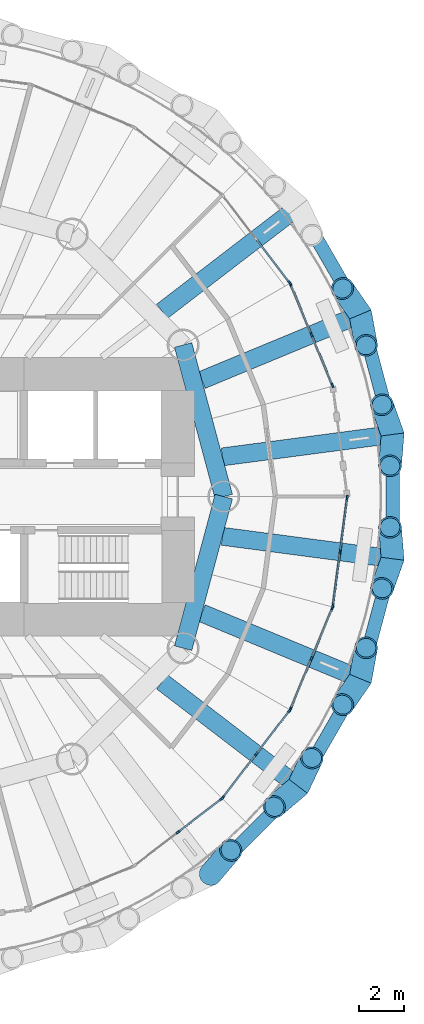
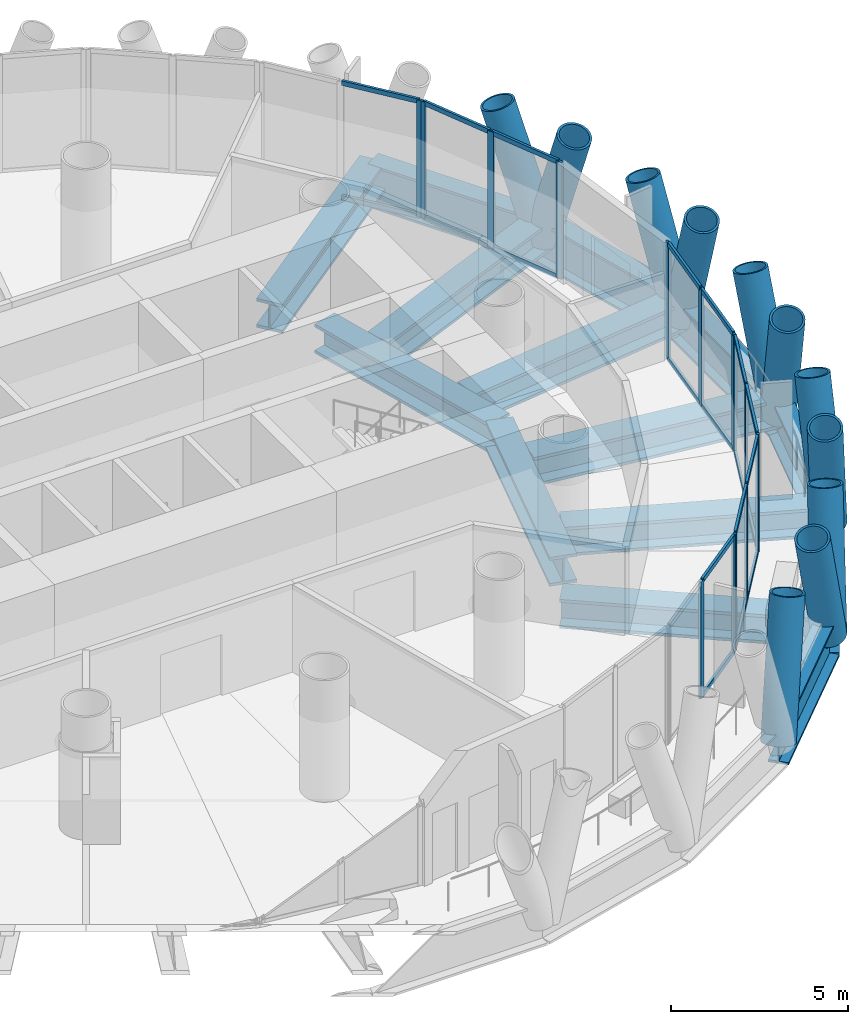
# One storey, part 5 of 16: 46 members, 14 beams, 6 elements without a shape of their own.
"""IFC4 building model written with IfcOpenShell, lengths in metres."""

from ifc_helpers import new_model, si_unit, direction, frame, origin, origin_2d, place, context, subcontext, project, spatial, rectangle, hollow_circle, i_section, extrude, material, material_profile, profile_set, type_object, element, aggregate, save


model = new_model("IFC4")

# Units and contexts
model_context = context("Model", 3, precision=1e-05, world=origin(), true_north=direction((0.0, 1.0)))
body_context = subcontext(model_context, "Body", "Model", "MODEL_VIEW")
ifc_project = project(units=[si_unit("LENGTHUNIT", "METRE"), si_unit("AREAUNIT", "SQUARE_METRE"), si_unit("VOLUMEUNIT", "CUBIC_METRE"), si_unit("PLANEANGLEUNIT", "RADIAN"), si_unit("MASSUNIT", "GRAM", prefix="KILO")], contexts=[model_context])

# Site, building, storey
site_placement = place(None, origin())
site = spatial("IfcSite", under=ifc_project, at=site_placement, CompositionType="ELEMENT")
building_placement = place(site_placement, origin())
building = spatial("IfcBuilding", under=site, at=building_placement, Name="Qaws Media Tower", CompositionType="ELEMENT")
storey_placement = place(building_placement, frame((0.0, 0.0, 269.60009765625)))
storey = spatial("IfcBuildingStorey", under=building, at=storey_placement, Name="L62", CompositionType="ELEMENT", Elevation=269.60009765625)

# Curtain wall, members
ifc_material_1 = material(Name="Aluminium and clear glass", Category="aluminium")
curtain_wall_type = type_object("IfcCurtainWallType", Name="Unitised curtain wall CW-D", PredefinedType="NOTDEFINED", material=ifc_material_1)
curtain_wall_1_placement = place(storey_placement, origin())
curtain_wall_1 = element("IfcCurtainWall", 1, at=curtain_wall_1_placement, inside=storey, type_object=curtain_wall_type, Name="CWD curtain wall L62-02", PredefinedType="NOTDEFINED")
ifc_material_2 = material(Name="Aluminium mullion", Category="aluminium")
ifc_material_profile_1 = material_profile(ifc_material_2, rectangle(XDim=0.080078125, YDim=0.199951171875, at=origin_2d()), Name="80x200")
ifc_profile_set_1 = profile_set([ifc_material_profile_1], Name="Aluminium mullion")
member_type_1 = type_object("IfcMemberType", Name="Curtain wall mullion 80x200", PredefinedType="MULLION", material=ifc_profile_set_1)
member_1_placement = place(storey_placement, frame((78.33740234375, 54.95458984375, 0.0), z_axis=(0.0, 0.0, 1.0), x_axis=(-0.923879530254, -0.382683437815, 0.0)))
member_1 = element("IfcMember", 2, at=member_1_placement, type_object=member_type_1, Name="CWD mullion 1", PredefinedType="MULLION", context=body_context, shape_type="SweptSolid", body=[
    extrude(rectangle(XDim=0.080078125, YDim=0.199951171875, at=origin_2d()), origin(), (0.0, 0.0, 1.0), 4.039794921875),
])
member_2_placement = place(storey_placement, frame((77.403564453125, 57.208740234375, 0.0), z_axis=(0.0, 0.0, 1.0), x_axis=(-0.923879530254, -0.382683437815, 0.0)))
member_2 = element("IfcMember", 3, at=member_2_placement, type_object=member_type_1, Name="CWD mullion 2", PredefinedType="MULLION", context=body_context, shape_type="SweptSolid", body=[
    extrude(rectangle(XDim=0.080078125, YDim=0.199951171875, at=origin_2d()), origin(), (0.0, 0.0, 1.0), 4.039794921875),
])
member_3_placement = place(storey_placement, frame((76.4697265625, 59.463134765625, 0.0), z_axis=(0.0, 0.0, 1.0), x_axis=(-0.923879530254, -0.382683437815, 0.0)))
member_3 = element("IfcMember", 4, at=member_3_placement, type_object=member_type_1, Name="CWD mullion 3", PredefinedType="MULLION", context=body_context, shape_type="SweptSolid", body=[
    extrude(rectangle(XDim=0.080078125, YDim=0.199951171875, at=origin_2d()), origin(), (0.0, 0.0, 1.0), 4.039794921875),
])

# Curtain wall, member
curtain_wall_2_placement = place(storey_placement, origin())
curtain_wall_2 = element("IfcCurtainWall", 5, at=curtain_wall_2_placement, inside=storey, type_object=curtain_wall_type, Name="CWD curtain wall L62-03", PredefinedType="NOTDEFINED")
member_4_placement = place(storey_placement, frame((76.43017578125, 59.53173828125, 0.0), z_axis=(0.0, 0.0, 1.0), x_axis=(-0.793353335436, -0.608761435337, 0.0)))
member_4 = element("IfcMember", 6, at=member_4_placement, type_object=member_type_1, Name="CWD mullion 1", PredefinedType="MULLION", context=body_context, shape_type="SweptSolid", body=[
    extrude(rectangle(XDim=0.080078125, YDim=0.199951171875, at=origin_2d()), origin(), (0.0, 0.0, 1.0), 4.039794921875),
])

# Curtain wall, members
curtain_wall_3_placement = place(storey_placement, origin())
curtain_wall_3 = element("IfcCurtainWall", 7, at=curtain_wall_3_placement, inside=storey, type_object=curtain_wall_type, Name="CWD curtain wall L62-21", PredefinedType="NOTDEFINED")
member_5_placement = place(storey_placement, frame((71.467529296875, 35.05517578125, 0.0), z_axis=(0.0, 0.0, 1.0), x_axis=(-0.608761435337, 0.793353335436, 0.0)))
member_5 = element("IfcMember", 8, at=member_5_placement, type_object=member_type_1, Name="CWD mullion 2", PredefinedType="MULLION", context=body_context, shape_type="SweptSolid", body=[
    extrude(rectangle(XDim=0.080078125, YDim=0.199951171875, at=origin_2d()), origin(), (0.0, 0.0, 1.0), 4.039794921875),
])
member_6_placement = place(storey_placement, frame((73.4033203125, 36.54052734375, 0.0), z_axis=(0.0, 0.0, 1.0), x_axis=(-0.608761435337, 0.793353335436, 0.0)))
member_6 = element("IfcMember", 9, at=member_6_placement, type_object=member_type_1, Name="CWD mullion 3", PredefinedType="MULLION", context=body_context, shape_type="SweptSolid", body=[
    extrude(rectangle(XDim=0.080078125, YDim=0.199951171875, at=origin_2d()), origin(), (0.0, 0.0, 1.0), 4.039794921875),
])

curtain_wall_4_placement = place(storey_placement, origin())
curtain_wall_4 = element("IfcCurtainWall", 10, at=curtain_wall_4_placement, inside=storey, type_object=curtain_wall_type, Name="CWD curtain wall L62-22", PredefinedType="NOTDEFINED")
member_7_placement = place(storey_placement, frame((73.45947265625, 36.5966796875, 0.0), z_axis=(0.0, 0.0, 1.0), x_axis=(-0.793353335436, 0.608761435337, 0.0)))
member_7 = element("IfcMember", 11, at=member_7_placement, type_object=member_type_1, Name="CWD mullion 1", PredefinedType="MULLION", context=body_context, shape_type="SweptSolid", body=[
    extrude(rectangle(XDim=0.080078125, YDim=0.199951171875, at=origin_2d()), origin(), (0.0, 0.0, 1.0), 4.039794921875),
])
member_8_placement = place(storey_placement, frame((74.94482421875, 38.532470703125, 0.0), z_axis=(0.0, 0.0, 1.0), x_axis=(-0.793353335436, 0.608761435337, 0.0)))
member_8 = element("IfcMember", 12, at=member_8_placement, type_object=member_type_1, Name="CWD mullion 2", PredefinedType="MULLION", context=body_context, shape_type="SweptSolid", body=[
    extrude(rectangle(XDim=0.080078125, YDim=0.199951171875, at=origin_2d()), origin(), (0.0, 0.0, 1.0), 4.039794921875),
])
member_9_placement = place(storey_placement, frame((76.43017578125, 40.46826171875, 0.0), z_axis=(0.0, 0.0, 1.0), x_axis=(-0.793353335436, 0.608761435337, 0.0)))
member_9 = element("IfcMember", 13, at=member_9_placement, type_object=member_type_1, Name="CWD mullion 3", PredefinedType="MULLION", context=body_context, shape_type="SweptSolid", body=[
    extrude(rectangle(XDim=0.080078125, YDim=0.199951171875, at=origin_2d()), origin(), (0.0, 0.0, 1.0), 4.039794921875),
])

curtain_wall_5_placement = place(storey_placement, origin())
curtain_wall_5 = element("IfcCurtainWall", 14, at=curtain_wall_5_placement, inside=storey, type_object=curtain_wall_type, Name="CWD curtain wall L62-23", PredefinedType="NOTDEFINED")
member_10_placement = place(storey_placement, frame((76.4697265625, 40.536865234375, 0.0), z_axis=(0.0, 0.0, 1.0), x_axis=(-0.923879530254, 0.382683437815, 0.0)))
member_10 = element("IfcMember", 15, at=member_10_placement, type_object=member_type_1, Name="CWD mullion 1", PredefinedType="MULLION", context=body_context, shape_type="SweptSolid", body=[
    extrude(rectangle(XDim=0.080078125, YDim=0.199951171875, at=origin_2d()), origin(), (0.0, 0.0, 1.0), 4.039794921875),
])
member_11_placement = place(storey_placement, frame((77.403564453125, 42.791259765625, 0.0), z_axis=(0.0, 0.0, 1.0), x_axis=(-0.923879530254, 0.382683437815, 0.0)))
member_11 = element("IfcMember", 16, at=member_11_placement, type_object=member_type_1, Name="CWD mullion 2", PredefinedType="MULLION", context=body_context, shape_type="SweptSolid", body=[
    extrude(rectangle(XDim=0.080078125, YDim=0.199951171875, at=origin_2d()), origin(), (0.0, 0.0, 1.0), 4.039794921875),
])
member_12_placement = place(storey_placement, frame((78.33740234375, 45.04541015625, 0.0), z_axis=(0.0, 0.0, 1.0), x_axis=(-0.923879530254, 0.382683437815, 0.0)))
member_12 = element("IfcMember", 17, at=member_12_placement, type_object=member_type_1, Name="CWD mullion 3", PredefinedType="MULLION", context=body_context, shape_type="SweptSolid", body=[
    extrude(rectangle(XDim=0.080078125, YDim=0.199951171875, at=origin_2d()), origin(), (0.0, 0.0, 1.0), 4.039794921875),
])

curtain_wall_6_placement = place(storey_placement, origin())
curtain_wall_6 = element("IfcCurtainWall", 18, at=curtain_wall_6_placement, inside=storey, type_object=curtain_wall_type, Name="CWD curtain wall L62-24", PredefinedType="NOTDEFINED")
member_13_placement = place(storey_placement, frame((78.35791015625, 45.1220703125, 0.0), z_axis=(0.0, 0.0, 1.0), x_axis=(-0.991444869705, 0.130526128939, 0.0)))
member_13 = element("IfcMember", 19, at=member_13_placement, type_object=member_type_1, Name="CWD mullion 1", PredefinedType="MULLION", context=body_context, shape_type="SweptSolid", body=[
    extrude(rectangle(XDim=0.080078125, YDim=0.199951171875, at=origin_2d()), origin(), (0.0, 0.0, 1.0), 4.039794921875),
])
member_14_placement = place(storey_placement, frame((78.67626953125, 47.541259765625, 0.0), z_axis=(0.0, 0.0, 1.0), x_axis=(-0.991444869705, 0.130526128939, 0.0)))
member_14 = element("IfcMember", 20, at=member_14_placement, type_object=member_type_1, Name="CWD mullion 2", PredefinedType="MULLION", context=body_context, shape_type="SweptSolid", body=[
    extrude(rectangle(XDim=0.080078125, YDim=0.199951171875, at=origin_2d()), origin(), (0.0, 0.0, 1.0), 4.039794921875),
])
member_15_placement = place(storey_placement, frame((78.994873046875, 49.96044921875, 0.0), z_axis=(0.0, 0.0, 1.0), x_axis=(-0.991444869705, 0.130526128939, 0.0)))
member_15 = element("IfcMember", 21, at=member_15_placement, type_object=member_type_1, Name="CWD mullion 3", PredefinedType="MULLION", context=body_context, shape_type="SweptSolid", body=[
    extrude(rectangle(XDim=0.080078125, YDim=0.199951171875, at=origin_2d()), origin(), (0.0, 0.0, 1.0), 4.039794921875),
])

# Member
ifc_material_3 = material(Name="Aluminium transom", Category="aluminium")
ifc_material_profile_2 = material_profile(ifc_material_3, rectangle(XDim=0.080078125, YDim=0.159912109375, at=origin_2d()), Name="80x160")
ifc_profile_set_2 = profile_set([ifc_material_profile_2], Name="Aluminium transom")
member_type_2 = type_object("IfcMemberType", Name="Curtain wall transom 80x160", PredefinedType="USERDEFINED", material=ifc_profile_set_2)
member_16_placement = place(storey_placement, frame((78.322021484375, 54.991455078125, 0.039794921875), z_axis=(-0.382653293732, 0.923892015766, 0.0), x_axis=(-0.923892015766, -0.382653293732, 0.0)))
member_16 = element("IfcMember", 22, at=member_16_placement, type_object=member_type_2, Name="CWD transom 1.1", ObjectType="TRANSOM", PredefinedType="USERDEFINED", context=body_context, shape_type="SweptSolid", body=[
    extrude(rectangle(XDim=0.080078125, YDim=0.159912109375, at=origin_2d()), origin(), (0.0, 0.0, 1.0), 2.360107421875),
])

member_17_placement = place(storey_placement, frame((78.322021484375, 54.991455078125, 4.0), z_axis=(-0.382653293732, 0.923892015766, 0.0), x_axis=(-0.923892015766, -0.382653293732, 0.0)))
member_17 = element("IfcMember", 23, at=member_17_placement, type_object=member_type_2, Name="CWD transom 1.2", ObjectType="TRANSOM", PredefinedType="USERDEFINED", context=body_context, shape_type="SweptSolid", body=[
    extrude(rectangle(XDim=0.080078125, YDim=0.159912109375, at=origin_2d()), origin(), (0.0, 0.0, 1.0), 2.360107421875),
])

member_18_placement = place(storey_placement, frame((77.38818359375, 57.245849609375, 0.039794921875), z_axis=(-0.38268986885, 0.923876866406, 0.0), x_axis=(-0.923876866406, -0.38268986885, 0.0)))
member_18 = element("IfcMember", 24, at=member_18_placement, type_object=member_type_2, Name="CWD transom 2.1", ObjectType="TRANSOM", PredefinedType="USERDEFINED", context=body_context, shape_type="SweptSolid", body=[
    extrude(rectangle(XDim=0.080078125, YDim=0.159912109375, at=origin_2d()), origin(), (0.0, 0.0, 1.0), 2.35986328125),
])

member_19_placement = place(storey_placement, frame((77.38818359375, 57.245849609375, 4.0), z_axis=(-0.38268986885, 0.923876866406, 0.0), x_axis=(-0.923876866406, -0.38268986885, 0.0)))
member_19 = element("IfcMember", 25, at=member_19_placement, type_object=member_type_2, Name="CWD transom 2.2", ObjectType="TRANSOM", PredefinedType="USERDEFINED", context=body_context, shape_type="SweptSolid", body=[
    extrude(rectangle(XDim=0.080078125, YDim=0.159912109375, at=origin_2d()), origin(), (0.0, 0.0, 1.0), 2.35986328125),
])

aggregate(curtain_wall_1, [member_1, member_2, member_3, member_16, member_17, member_18, member_19])

member_20_placement = place(storey_placement, frame((76.40576171875, 59.5634765625, 0.039794921875), z_axis=(-0.608785475942, 0.793334887851, 0.0), x_axis=(-0.793334887851, -0.608785475942, 0.0)))
member_20 = element("IfcMember", 26, at=member_20_placement, type_object=member_type_2, Name="CWD transom 1.1", ObjectType="TRANSOM", PredefinedType="USERDEFINED", context=body_context, shape_type="SweptSolid", body=[
    extrude(rectangle(XDim=0.080078125, YDim=0.159912109375, at=origin_2d()), origin(), (0.0, 0.0, 1.0), 2.360107421875),
])

member_21_placement = place(storey_placement, frame((76.40576171875, 59.5634765625, 4.0), z_axis=(-0.608785475942, 0.793334887851, 0.0), x_axis=(-0.793334887851, -0.608785475942, 0.0)))
member_21 = element("IfcMember", 27, at=member_21_placement, type_object=member_type_2, Name="CWD transom 1.2", ObjectType="TRANSOM", PredefinedType="USERDEFINED", context=body_context, shape_type="SweptSolid", body=[
    extrude(rectangle(XDim=0.080078125, YDim=0.159912109375, at=origin_2d()), origin(), (0.0, 0.0, 1.0), 2.360107421875),
])

aggregate(curtain_wall_2, [member_4, member_20, member_21])

member_22_placement = place(storey_placement, frame((71.499267578125, 35.07958984375, 0.039794921875), z_axis=(0.793334887851, 0.608785475942, 0.0), x_axis=(-0.608785475942, 0.793334887851, 0.0)))
member_22 = element("IfcMember", 28, at=member_22_placement, type_object=member_type_2, Name="CWD transom 2.1", ObjectType="TRANSOM", PredefinedType="USERDEFINED", context=body_context, shape_type="SweptSolid", body=[
    extrude(rectangle(XDim=0.080078125, YDim=0.159912109375, at=origin_2d()), origin(), (0.0, 0.0, 1.0), 2.360107421875),
])

member_23_placement = place(storey_placement, frame((71.499267578125, 35.07958984375, 4.0), z_axis=(0.793334887851, 0.608785475942, 0.0), x_axis=(-0.608785475942, 0.793334887851, 0.0)))
member_23 = element("IfcMember", 29, at=member_23_placement, type_object=member_type_2, Name="CWD transom 2.2", ObjectType="TRANSOM", PredefinedType="USERDEFINED", context=body_context, shape_type="SweptSolid", body=[
    extrude(rectangle(XDim=0.080078125, YDim=0.159912109375, at=origin_2d()), origin(), (0.0, 0.0, 1.0), 2.360107421875),
])

aggregate(curtain_wall_3, [member_5, member_6, member_22, member_23])

member_24_placement = place(storey_placement, frame((73.483642578125, 36.62841796875, 0.039794921875), z_axis=(0.608785475942, 0.793334887851, 0.0), x_axis=(-0.793334887851, 0.608785475942, 0.0)))
member_24 = element("IfcMember", 30, at=member_24_placement, type_object=member_type_2, Name="CWD transom 1.1", ObjectType="TRANSOM", PredefinedType="USERDEFINED", context=body_context, shape_type="SweptSolid", body=[
    extrude(rectangle(XDim=0.080078125, YDim=0.159912109375, at=origin_2d()), origin(), (0.0, 0.0, 1.0), 2.360107421875),
])

member_25_placement = place(storey_placement, frame((73.483642578125, 36.62841796875, 4.0), z_axis=(0.608785475942, 0.793334887851, 0.0), x_axis=(-0.793334887851, 0.608785475942, 0.0)))
member_25 = element("IfcMember", 31, at=member_25_placement, type_object=member_type_2, Name="CWD transom 1.2", ObjectType="TRANSOM", PredefinedType="USERDEFINED", context=body_context, shape_type="SweptSolid", body=[
    extrude(rectangle(XDim=0.080078125, YDim=0.159912109375, at=origin_2d()), origin(), (0.0, 0.0, 1.0), 2.360107421875),
])

member_26_placement = place(storey_placement, frame((74.968994140625, 38.564208984375, 0.039794921875), z_axis=(0.608785475942, 0.793334887851, 0.0), x_axis=(-0.793334887851, 0.608785475942, 0.0)))
member_26 = element("IfcMember", 32, at=member_26_placement, type_object=member_type_2, Name="CWD transom 2.1", ObjectType="TRANSOM", PredefinedType="USERDEFINED", context=body_context, shape_type="SweptSolid", body=[
    extrude(rectangle(XDim=0.080078125, YDim=0.159912109375, at=origin_2d()), origin(), (0.0, 0.0, 1.0), 2.360107421875),
])

member_27_placement = place(storey_placement, frame((74.968994140625, 38.564208984375, 4.0), z_axis=(0.608785475942, 0.793334887851, 0.0), x_axis=(-0.793334887851, 0.608785475942, 0.0)))
member_27 = element("IfcMember", 33, at=member_27_placement, type_object=member_type_2, Name="CWD transom 2.2", ObjectType="TRANSOM", PredefinedType="USERDEFINED", context=body_context, shape_type="SweptSolid", body=[
    extrude(rectangle(XDim=0.080078125, YDim=0.159912109375, at=origin_2d()), origin(), (0.0, 0.0, 1.0), 2.360107421875),
])

aggregate(curtain_wall_4, [member_7, member_8, member_9, member_24, member_25, member_26, member_27])

member_28_placement = place(storey_placement, frame((76.485107421875, 40.573974609375, 0.039794921875), z_axis=(0.38268986885, 0.923876866406, 0.0), x_axis=(-0.923876866406, 0.38268986885, 0.0)))
member_28 = element("IfcMember", 34, at=member_28_placement, type_object=member_type_2, Name="CWD transom 1.1", ObjectType="TRANSOM", PredefinedType="USERDEFINED", context=body_context, shape_type="SweptSolid", body=[
    extrude(rectangle(XDim=0.080078125, YDim=0.159912109375, at=origin_2d()), origin(), (0.0, 0.0, 1.0), 2.35986328125),
])

member_29_placement = place(storey_placement, frame((76.485107421875, 40.573974609375, 4.0), z_axis=(0.38268986885, 0.923876866406, 0.0), x_axis=(-0.923876866406, 0.38268986885, 0.0)))
member_29 = element("IfcMember", 35, at=member_29_placement, type_object=member_type_2, Name="CWD transom 1.2", ObjectType="TRANSOM", PredefinedType="USERDEFINED", context=body_context, shape_type="SweptSolid", body=[
    extrude(rectangle(XDim=0.080078125, YDim=0.159912109375, at=origin_2d()), origin(), (0.0, 0.0, 1.0), 2.35986328125),
])

member_30_placement = place(storey_placement, frame((77.4189453125, 42.828125, 0.039794921875), z_axis=(0.382653293732, 0.923892015766, 0.0), x_axis=(-0.923892015766, 0.382653293732, 0.0)))
member_30 = element("IfcMember", 36, at=member_30_placement, type_object=member_type_2, Name="CWD transom 2.1", ObjectType="TRANSOM", PredefinedType="USERDEFINED", context=body_context, shape_type="SweptSolid", body=[
    extrude(rectangle(XDim=0.080078125, YDim=0.159912109375, at=origin_2d()), origin(), (0.0, 0.0, 1.0), 2.360107421875),
])

member_31_placement = place(storey_placement, frame((77.4189453125, 42.828125, 4.0), z_axis=(0.382653293732, 0.923892015766, 0.0), x_axis=(-0.923892015766, 0.382653293732, 0.0)))
member_31 = element("IfcMember", 37, at=member_31_placement, type_object=member_type_2, Name="CWD transom 2.2", ObjectType="TRANSOM", PredefinedType="USERDEFINED", context=body_context, shape_type="SweptSolid", body=[
    extrude(rectangle(XDim=0.080078125, YDim=0.159912109375, at=origin_2d()), origin(), (0.0, 0.0, 1.0), 2.360107421875),
])

aggregate(curtain_wall_5, [member_10, member_11, member_12, member_28, member_29, member_30, member_31])

member_32_placement = place(storey_placement, frame((78.363037109375, 45.161865234375, 0.039794921875), z_axis=(0.130564238024, 0.991439851806, 0.0), x_axis=(-0.991439851806, 0.130564238024, 0.0)))
member_32 = element("IfcMember", 38, at=member_32_placement, type_object=member_type_2, Name="CWD transom 1.1", ObjectType="TRANSOM", PredefinedType="USERDEFINED", context=body_context, shape_type="SweptSolid", body=[
    extrude(rectangle(XDim=0.080078125, YDim=0.159912109375, at=origin_2d()), origin(), (0.0, 0.0, 1.0), 2.35986328125),
])

member_33_placement = place(storey_placement, frame((78.363037109375, 45.161865234375, 4.0), z_axis=(0.130564238024, 0.991439851806, 0.0), x_axis=(-0.991439851806, 0.130564238024, 0.0)))
member_33 = element("IfcMember", 39, at=member_33_placement, type_object=member_type_2, Name="CWD transom 1.2", ObjectType="TRANSOM", PredefinedType="USERDEFINED", context=body_context, shape_type="SweptSolid", body=[
    extrude(rectangle(XDim=0.080078125, YDim=0.159912109375, at=origin_2d()), origin(), (0.0, 0.0, 1.0), 2.35986328125),
])

member_34_placement = place(storey_placement, frame((78.681396484375, 47.580810546875, 0.039794921875), z_axis=(0.130550847075, 0.991441615189, 0.0), x_axis=(-0.991441615189, 0.130550847075, 0.0)))
member_34 = element("IfcMember", 40, at=member_34_placement, type_object=member_type_2, Name="CWD transom 2.1", ObjectType="TRANSOM", PredefinedType="USERDEFINED", context=body_context, shape_type="SweptSolid", body=[
    extrude(rectangle(XDim=0.080078125, YDim=0.159912109375, at=origin_2d()), origin(), (0.0, 0.0, 1.0), 2.360107421875),
])

member_35_placement = place(storey_placement, frame((78.681396484375, 47.580810546875, 4.0), z_axis=(0.130550847075, 0.991441615189, 0.0), x_axis=(-0.991441615189, 0.130550847075, 0.0)))
member_35 = element("IfcMember", 41, at=member_35_placement, type_object=member_type_2, Name="CWD transom 2.2", ObjectType="TRANSOM", PredefinedType="USERDEFINED", context=body_context, shape_type="SweptSolid", body=[
    extrude(rectangle(XDim=0.080078125, YDim=0.159912109375, at=origin_2d()), origin(), (0.0, 0.0, 1.0), 2.360107421875),
])

aggregate(curtain_wall_6, [member_13, member_14, member_15, member_32, member_33, member_34, member_35])

# Members
ifc_material_4 = material(Name="Steel S460", Category="steel")
ifc_material_profile_3 = material_profile(ifc_material_4, hollow_circle(Radius=0.508056640625, WallThickness=0.070068359375, at=origin_2d()), Name="CHS 1016x70")
ifc_profile_set_3 = profile_set([ifc_material_profile_3], Name="Steel S460")
member_type_3 = type_object("IfcMemberType", Name="Diagrid member CHS 1016x70", PredefinedType="USERDEFINED", material=ifc_profile_set_3)
for number, where, z_axis, x_axis, name in (
    (42, (81.0185546875, 52.76708984375, -0.91015625), (-0.106419910946, 0.298141170199, 0.948570843525), (-0.941801008522, -0.336170879683, 0.0), "DG3 diagrid L62 A01"),
    (43, (81.0185546875, 52.76708984375, -0.91015625), (-0.025640148851, -0.315511681135, 0.948575227293), (0.996714241721, -0.08099827375, 0.0), "DG3 diagrid L62 B01"),
    (44, (79.586181640625, 58.11279296875, -0.91015625), (-0.179923150491, 0.260428145807, 0.948580434538), (-0.822743668856, -0.568412574947, 0.0), "DG3 diagrid L62 A02"),
    (45, (79.586181640625, 58.11279296875, -0.91015625), (0.056904923724, -0.311378008011, 0.948580816685), (0.983707850681, 0.179774482363, 0.0), "DG3 diagrid L62 B02"),
    (46, (72.90576171875, 33.180908203125, -0.91015625), (0.2049560182, 0.241238251178, 0.948576373716), (-0.762089724206, 0.647471429686, 0.0), "DG3 diagrid L62 A21"),
    (47, (76.819091796875, 37.09423828125, -0.91015625), (0.135534460852, 0.286067039423, 0.948575805551), (-0.903702367057, 0.428161221709, 0.0), "DG3 diagrid L62 A22"),
    (48, (76.819091796875, 37.09423828125, -0.91015625), (-0.241238251178, -0.2049560182, 0.948576373716), (0.647471429686, -0.762089724206, 0.0), "DG3 diagrid L62 B22"),
    (49, (79.586181640625, 41.88720703125, -0.91015625), (0.056904923724, 0.311378008011, 0.948580816685), (-0.983707850681, 0.179774482363, 0.0), "DG3 diagrid L62 A23"),
    (50, (79.586181640625, 41.88720703125, -0.91015625), (-0.179923150491, -0.260428145807, 0.948580434538), (0.822743668856, -0.568412574947, 0.0), "DG3 diagrid L62 B23"),
    (51, (81.0185546875, 47.23291015625, -0.91015625), (-0.025640148851, 0.315511681135, 0.948575227293), (-0.996714241721, -0.08099827375, 0.0), "DG3 diagrid L62 A24"),
    (52, (81.0185546875, 47.23291015625, -0.91015625), (-0.106419910946, -0.298141170199, 0.948570843525), (0.941801008522, -0.336170879683, 0.0), "DG3 diagrid L62 B24"),
):
    element("IfcMember", number, at=place(storey_placement, frame(where, z_axis=z_axis, x_axis=x_axis)), inside=storey, type_object=member_type_3, Name=name, ObjectType="DIAGRID", PredefinedType="USERDEFINED", context=body_context, shape_type="SweptSolid", body=[
        extrude(hollow_circle(Radius=0.508056640625, WallThickness=0.070068359375, at=origin_2d()), origin(), (0.0, 0.0, 1.0), 4.427734375),
    ])

# Beams
ifc_material_5 = material(Name="Steel S460", Category="steel")
ifc_material_profile_4 = material_profile(ifc_material_5, i_section(OverallWidth=0.60009765625, OverallDepth=1.5, WebThickness=0.030029296875, FlangeThickness=0.080078125, at=origin_2d()), Name="PG 1500x600")
ifc_profile_set_4 = profile_set([ifc_material_profile_4], Name="Steel S460")
beam_type_1 = type_object("IfcBeamType", Name="Edge ring beam PG 1500x600", PredefinedType="BEAM", material=ifc_profile_set_4)
beam_1_placement = place(storey_placement, frame((81.0185546875, 52.76708984375, -0.91015625), z_axis=(-0.258818406416, 0.965925997424, 0.0), x_axis=(-0.965925997424, -0.258818406416, 0.0)))
element("IfcBeam", 53, at=beam_1_placement, inside=storey, type_object=beam_type_1, Name="RB5 edge ring beam L62-01", PredefinedType="BEAM", context=body_context, shape_type="SweptSolid", body=[
    extrude(i_section(OverallWidth=0.60009765625, OverallDepth=1.5, WebThickness=0.030029296875, FlangeThickness=0.080078125, at=origin_2d()), origin(), (0.0, 0.0, 1.0), 5.5341796875),
])
beam_2_placement = place(storey_placement, frame((79.586181640625, 58.11279296875, -0.91015625), z_axis=(-0.499982117899, 0.866035727774, 0.0), x_axis=(-0.866035727774, -0.499982117899, 0.0)))
element("IfcBeam", 54, at=beam_2_placement, inside=storey, type_object=beam_type_1, Name="RB5 edge ring beam L62-02", PredefinedType="BEAM", context=body_context, shape_type="SweptSolid", body=[
    extrude(i_section(OverallWidth=0.60009765625, OverallDepth=1.5, WebThickness=0.030029296875, FlangeThickness=0.080078125, at=origin_2d()), origin(), (0.0, 0.0, 1.0), 5.534423828125),
])
beam_3_placement = place(storey_placement, frame((72.90576171875, 33.180908203125, -0.91015625), z_axis=(0.707106781187, 0.707106781187, 0.0), x_axis=(-0.707106781187, 0.707106781187, 0.0)))
element("IfcBeam", 55, at=beam_3_placement, inside=storey, type_object=beam_type_1, Name="RB5 edge ring beam L62-21", PredefinedType="BEAM", context=body_context, shape_type="SweptSolid", body=[
    extrude(i_section(OverallWidth=0.60009765625, OverallDepth=1.5, WebThickness=0.030029296875, FlangeThickness=0.080078125, at=origin_2d()), origin(), (0.0, 0.0, 1.0), 5.5341796875),
])
beam_4_placement = place(storey_placement, frame((76.819091796875, 37.09423828125, -0.91015625), z_axis=(0.499982117899, 0.866035727774, 0.0), x_axis=(-0.866035727774, 0.499982117899, 0.0)))
element("IfcBeam", 56, at=beam_4_placement, inside=storey, type_object=beam_type_1, Name="RB5 edge ring beam L62-22", PredefinedType="BEAM", context=body_context, shape_type="SweptSolid", body=[
    extrude(i_section(OverallWidth=0.60009765625, OverallDepth=1.5, WebThickness=0.030029296875, FlangeThickness=0.080078125, at=origin_2d()), origin(), (0.0, 0.0, 1.0), 5.534423828125),
])
for number, where, z_axis, x_axis, name in (
    (57, (79.586181640625, 41.88720703125, -0.91015625), (0.258818406416, 0.965925997424, 0.0), (-0.965925997424, 0.258818406416, 0.0), "RB5 edge ring beam L62-23"),
    (58, (81.0185546875, 47.23291015625, -0.91015625), (0.0, 1.0, 0.0), (-1.0, 0.0, 0.0), "RB5 edge ring beam L62-24"),
):
    element("IfcBeam", number, at=place(storey_placement, frame(where, z_axis=z_axis, x_axis=x_axis)), inside=storey, type_object=beam_type_1, Name=name, PredefinedType="BEAM", context=body_context, shape_type="SweptSolid", body=[
        extrude(i_section(OverallWidth=0.60009765625, OverallDepth=1.5, WebThickness=0.030029296875, FlangeThickness=0.080078125, at=origin_2d()), origin(), (0.0, 0.0, 1.0), 5.5341796875),
    ])
ifc_material_6 = material(Name="Steel S460", Category="steel")
ifc_material_profile_5 = material_profile(ifc_material_6, i_section(OverallWidth=0.800048828125, OverallDepth=1.0, WebThickness=0.0400390625, FlangeThickness=0.10009765625, at=origin_2d()), Name="PG 1000x800")
ifc_profile_set_5 = profile_set([ifc_material_profile_5], Name="Steel S460")
beam_type_2 = type_object("IfcBeamType", Name="Inner ring girder PG 1000x800", PredefinedType="BEAM", material=ifc_profile_set_5)
for number, where, z_axis, x_axis, name in (
    (59, (73.5, 50.0, -0.66015625), (-0.258810593767, 0.965928090778, 0.0), (-0.965928090778, -0.258810593767, 0.0), "B3 inner ring beam L62 I01-I02"),
    (60, (71.69140625, 43.25, -0.66015625), (0.258810593767, 0.965928090778, 0.0), (-0.965928090778, 0.258810593767, 0.0), "B3 inner ring beam L62 I12-I01"),
):
    element("IfcBeam", number, at=place(storey_placement, frame(where, z_axis=z_axis, x_axis=x_axis)), inside=storey, type_object=beam_type_2, Name=name, PredefinedType="BEAM", context=body_context, shape_type="SweptSolid", body=[
        extrude(i_section(OverallWidth=0.800048828125, OverallDepth=1.0, WebThickness=0.0400390625, FlangeThickness=0.10009765625, at=origin_2d()), origin(), (0.0, 0.0, 1.0), 6.988037109375),
    ])
ifc_material_7 = material(Name="Steel S460", Category="steel")
ifc_material_profile_6 = material_profile(ifc_material_7, i_section(OverallWidth=0.800048828125, OverallDepth=1.0, WebThickness=0.0400390625, FlangeThickness=0.10009765625, at=origin_2d()), Name="PG 1000x800")
ifc_profile_set_6 = profile_set([ifc_material_profile_6], Name="Steel S460")
beam_type_3 = type_object("IfcBeamType", Name="Radial girder PG 1000x800", PredefinedType="BEAM", material=ifc_profile_set_6)
beam_5_placement = place(storey_placement, frame((73.43994140625, 51.769287109375, -0.66015625), z_axis=(0.991443856279, 0.130533826448, 0.0), x_axis=(-0.130533826448, 0.991443856279, 0.0)))
element("IfcBeam", 61, at=beam_5_placement, inside=storey, type_object=beam_type_3, Name="B1 radial beam L62 01", PredefinedType="BEAM", context=body_context, shape_type="SweptSolid", body=[
    extrude(i_section(OverallWidth=0.800048828125, OverallDepth=1.0, WebThickness=0.0400390625, FlangeThickness=0.10009765625, at=origin_2d()), origin(), (0.0, 0.0, 1.0), 7.64404296875),
])
beam_6_placement = place(storey_placement, frame((72.524169921875, 55.187744140625, -0.66015625), z_axis=(0.923885647267, 0.382668669706, 0.0), x_axis=(-0.382668669706, 0.923885647267, 0.0)))
element("IfcBeam", 62, at=beam_6_placement, inside=storey, type_object=beam_type_3, Name="B1 radial beam L62 02", PredefinedType="BEAM", context=body_context, shape_type="SweptSolid", body=[
    extrude(i_section(OverallWidth=0.800048828125, OverallDepth=1.0, WebThickness=0.0400390625, FlangeThickness=0.10009765625, at=origin_2d()), origin(), (0.0, 0.0, 1.0), 7.643798828125),
])
for number, where, z_axis, x_axis, name in (
    (63, (70.754638671875, 58.25244140625, -0.66015625), (0.793359547084, 0.608753340073, 0.0), (-0.608753340073, 0.793359547084, 0.0), "B1 radial beam L62 03"),
    (64, (70.754638671875, 41.74755859375, -0.66015625), (0.793359547084, -0.608753340073, 0.0), (0.608753340073, 0.793359547084, 0.0), "B1 radial beam L62 22"),
):
    element("IfcBeam", number, at=place(storey_placement, frame(where, z_axis=z_axis, x_axis=x_axis)), inside=storey, type_object=beam_type_3, Name=name, PredefinedType="BEAM", context=body_context, shape_type="SweptSolid", body=[
        extrude(i_section(OverallWidth=0.800048828125, OverallDepth=1.0, WebThickness=0.0400390625, FlangeThickness=0.10009765625, at=origin_2d()), origin(), (0.0, 0.0, 1.0), 7.64404296875),
    ])
beam_7_placement = place(storey_placement, frame((72.524169921875, 44.812255859375, -0.66015625), z_axis=(0.923885647267, -0.382668669706, 0.0), x_axis=(0.382668669706, 0.923885647267, 0.0)))
element("IfcBeam", 65, at=beam_7_placement, inside=storey, type_object=beam_type_3, Name="B1 radial beam L62 23", PredefinedType="BEAM", context=body_context, shape_type="SweptSolid", body=[
    extrude(i_section(OverallWidth=0.800048828125, OverallDepth=1.0, WebThickness=0.0400390625, FlangeThickness=0.10009765625, at=origin_2d()), origin(), (0.0, 0.0, 1.0), 7.643798828125),
])
beam_8_placement = place(storey_placement, frame((73.43994140625, 48.230712890625, -0.66015625), z_axis=(0.991443856279, -0.130533826448, 0.0), x_axis=(0.130533826448, 0.991443856279, 0.0)))
element("IfcBeam", 66, at=beam_8_placement, inside=storey, type_object=beam_type_3, Name="B1 radial beam L62 24", PredefinedType="BEAM", context=body_context, shape_type="SweptSolid", body=[
    extrude(i_section(OverallWidth=0.800048828125, OverallDepth=1.0, WebThickness=0.0400390625, FlangeThickness=0.10009765625, at=origin_2d()), origin(), (0.0, 0.0, 1.0), 7.64404296875),
])

save(model, "model.ifc")
